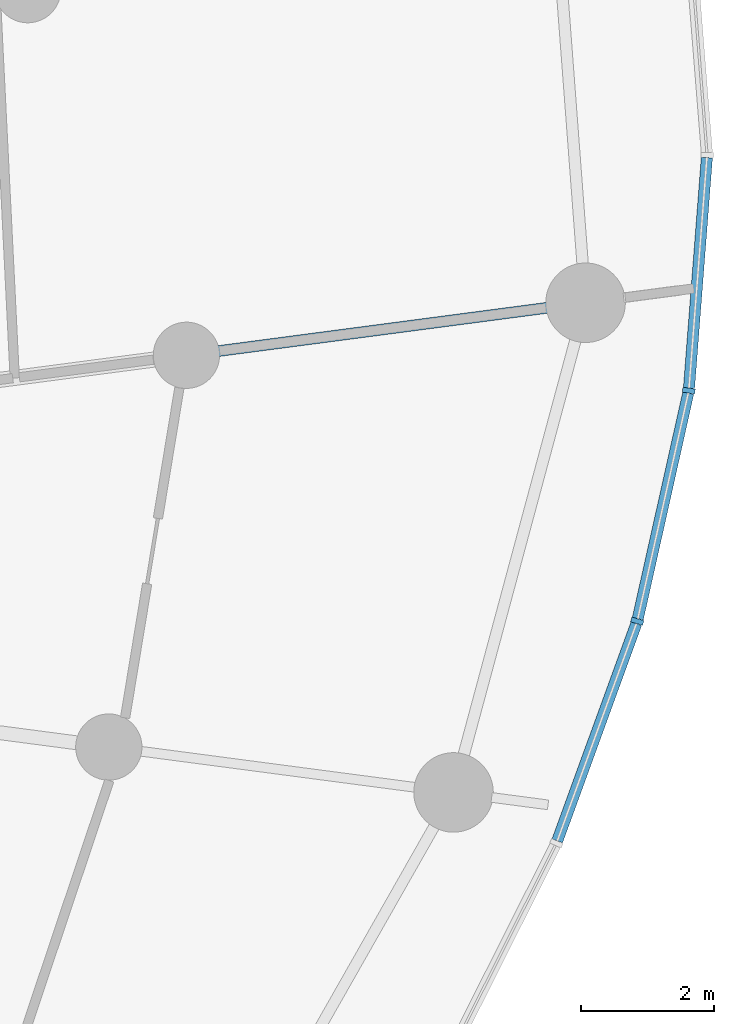
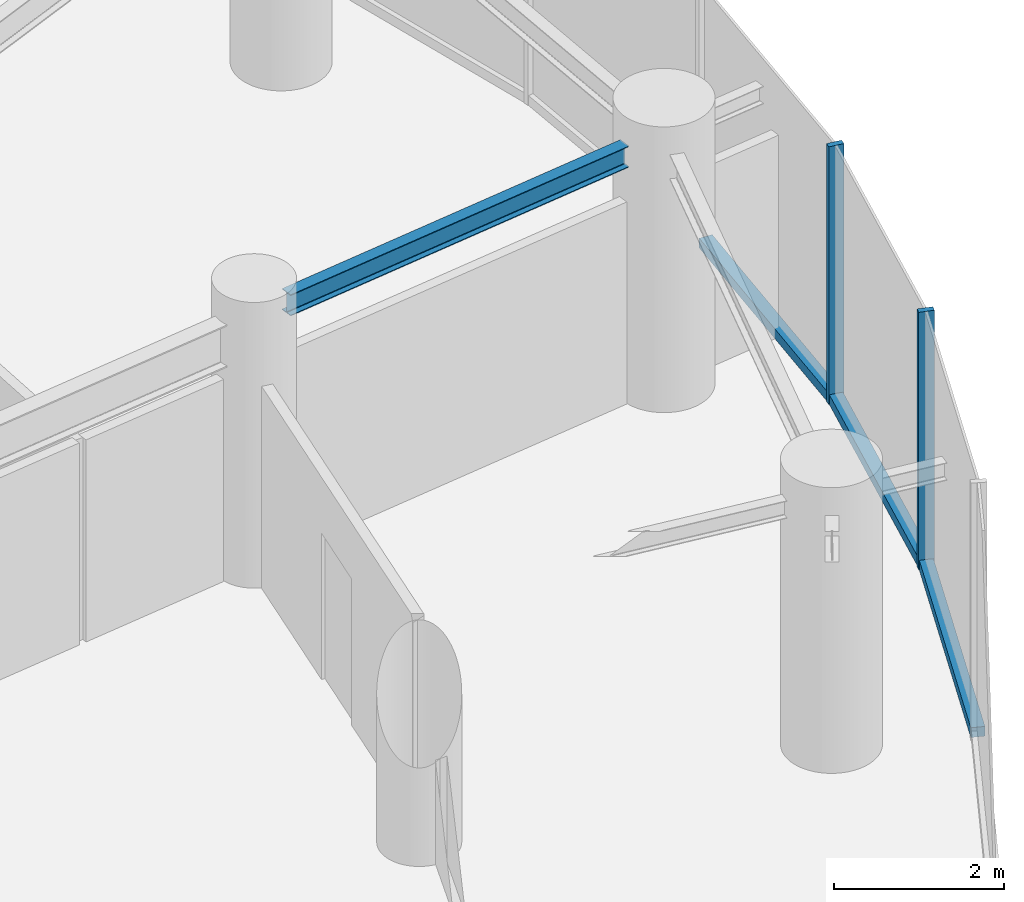
# One storey, part 5 of 17: 5 members, 1 beam, 1 element without a shape of its own.
"""IFC4 building model written with IfcOpenShell, lengths in metres."""

from ifc_helpers import new_model, si_unit, direction, frame, origin, origin_2d, place, context, subcontext, project, spatial, rectangle, i_section, extrude, source, transform, mapped, material, layer, layer_set, material_profile, profile_set, type_object, element, aggregate, save


model = new_model("IFC4")

# Units and contexts
model_context = context("Model", 3, precision=1e-05, world=origin(), true_north=direction((0.0, 1.0)))
body_context = subcontext(model_context, "Body", "Model", "MODEL_VIEW")
ifc_project = project(units=[si_unit("LENGTHUNIT", "METRE"), si_unit("AREAUNIT", "SQUARE_METRE"), si_unit("VOLUMEUNIT", "CUBIC_METRE"), si_unit("PLANEANGLEUNIT", "RADIAN"), si_unit("MASSUNIT", "GRAM", prefix="KILO")], contexts=[model_context])

# Site, building, storey
site_placement = place(None, origin())
site = spatial("IfcSite", under=ifc_project, at=site_placement, CompositionType="ELEMENT")
building_placement = place(site_placement, origin())
building = spatial("IfcBuilding", under=site, at=building_placement, Name="Spindrift Exchange Tower", CompositionType="ELEMENT")
storey_placement = place(building_placement, frame((0.0, 0.0, 120.800048828125)))
storey = spatial("IfcBuildingStorey", under=building, at=storey_placement, Name="L28", CompositionType="ELEMENT", Elevation=120.800048828125)

# Beam
ifc_material_1 = material(Name="Steel Grade 300", Category="steel")
ifc_material_profile_1 = material_profile(ifc_material_1, i_section(OverallWidth=0.1650390625, OverallDepth=0.303955078125, WebThickness=0.006103515625, FlangeThickness=0.01025390625, FilletRadius=0.011474609375, at=origin_2d()), Name="310UB40.4")
ifc_profile_set_1 = profile_set([ifc_material_profile_1], Name="Steel Grade 300")
beam_type = type_object("IfcBeamType", Name="Floor Beam 310UB40.4 Steel Grade 300", PredefinedType="BEAM", material=ifc_profile_set_1)
shared_shape_1 = source(origin(), body_context, "Body", "SweptSolid", [
    extrude(i_section(OverallWidth=0.1650390625, OverallDepth=0.303955078125, WebThickness=0.006103515625, FlangeThickness=0.01025390625, FilletRadius=0.011474609375, at=origin_2d()), origin(), (0.0, 0.0, 1.0), 5.014404296875),
])
beam_placement = place(storey_placement, frame((75.509765625, 51.09521484375, 3.5478515625), z_axis=(0.99145015202, 0.13048599948, 0.0), x_axis=(-0.13048599948, 0.99145015202, 0.0)))
element("IfcBeam", 1, at=beam_placement, inside=storey, type_object=beam_type, Name="L28 radial beam R01B", PredefinedType="BEAM", context=body_context, shape_type="MappedRepresentation", body=[
    mapped(shared_shape_1, transform((0.0, 0.0, 0.0), scale=1.0)),
])

# Curtain wall, members
ifc_material_2 = material(Name="Fritted laminated glass with bronze frame", Category="glass")
ifc_layer = layer(ifc_material_2, 0.18994140625)
ifc_layer_set = layer_set([ifc_layer], Name="ZONE 2 BRONZE FRITTED WALL")
curtain_wall_type = type_object("IfcCurtainWallType", Name="ZONE 2 BRONZE FRITTED WALL", PredefinedType="NOTDEFINED", material=ifc_layer_set)
curtain_wall_placement = place(storey_placement, origin())
curtain_wall = element("IfcCurtainWall", 2, at=curtain_wall_placement, inside=storey, type_object=curtain_wall_type, Name="L28 Zone 2 Bronze Fritted Wall run 8", PredefinedType="NOTDEFINED")
ifc_material_3 = material(Name="Bronze anodised aluminium", Category="aluminium")
ifc_material_profile_2 = material_profile(ifc_material_3, rectangle(XDim=0.074951171875, YDim=0.18994140625, at=origin_2d()), Name="ZONE 2 BRONZE FRITTED WALL MULLION 75X190")
ifc_profile_set_2 = profile_set([ifc_material_profile_2], Name="Bronze anodised aluminium")
member_type_1 = type_object("IfcMemberType", Name="ZONE 2 BRONZE FRITTED WALL MULLION 75X190", PredefinedType="MULLION", material=ifc_profile_set_2)
shared_shape_2 = source(origin(), body_context, "Body", "SweptSolid", [
    extrude(rectangle(XDim=0.074951171875, YDim=0.18994140625, at=origin_2d()), origin(), (0.0, 0.0, 1.0), 3.699951171875),
])
member_1_placement = place(storey_placement, frame((81.83642578125, 47.020263671875, 0.0), z_axis=(0.0, 0.0, 1.0), x_axis=(0.280738447325, 0.959784311287, 0.0)))
member_1 = element("IfcMember", 3, at=member_1_placement, type_object=member_type_1, Name="L28 mullion CW-2.47", PredefinedType="MULLION", context=body_context, shape_type="MappedRepresentation", body=[
    mapped(shared_shape_2, transform((0.0, 0.0, 0.0), scale=1.0)),
])
member_2_placement = place(storey_placement, frame((82.614501953125, 50.49951171875, 0.0), z_axis=(0.0, 0.0, 1.0), x_axis=(0.14816564871, 0.988962557705, 0.0)))
member_2 = element("IfcMember", 4, at=member_2_placement, type_object=member_type_1, Name="L28 mullion CW-2.48", PredefinedType="MULLION", context=body_context, shape_type="MappedRepresentation", body=[
    mapped(shared_shape_2, transform((0.0, 0.0, 0.0), scale=1.0)),
])
ifc_material_profile_3 = material_profile(ifc_material_3, rectangle(XDim=0.169921875, YDim=0.139892578125, at=origin_2d()), Name="ZONE 2 BRONZE FRITTED WALL TRANSOM 170X140")
ifc_profile_set_3 = profile_set([ifc_material_profile_3], Name="Bronze anodised aluminium")
member_type_2 = type_object("IfcMemberType", Name="ZONE 2 BRONZE FRITTED WALL TRANSOM 170X140", PredefinedType="USERDEFINED", material=ifc_profile_set_3)
shared_shape_3 = source(origin(), body_context, "Body", "SweptSolid", [
    extrude(rectangle(XDim=0.169921875, YDim=0.139892578125, at=origin_2d()), origin(), (0.0, 0.0, 1.0), 3.490478515625),
])
member_3_placement = place(storey_placement, frame((80.629638671875, 43.705078125, 0.070068359375), z_axis=(0.342023843011, 0.939691274202, 0.0), x_axis=(-0.939691274202, 0.342023843011, 0.0)))
member_3 = element("IfcMember", 5, at=member_3_placement, type_object=member_type_2, Name="L28 transom CW-2.46", ObjectType="TRANSOM", PredefinedType="USERDEFINED", context=body_context, shape_type="MappedRepresentation", body=[
    mapped(shared_shape_3, transform((0.0, 0.0, 0.0), scale=1.0)),
])
shared_shape_4 = source(origin(), body_context, "Body", "SweptSolid", [
    extrude(rectangle(XDim=0.169921875, YDim=0.139892578125, at=origin_2d()), origin(), (0.0, 0.0, 1.0), 3.490234375),
])
member_4_placement = place(storey_placement, frame((81.844482421875, 47.056884765625, 0.070068359375), z_axis=(0.218315257774, 0.975878295805, 0.0), x_axis=(-0.975878295805, 0.218315257774, 0.0)))
member_4 = element("IfcMember", 6, at=member_4_placement, type_object=member_type_2, Name="L28 transom CW-2.47", ObjectType="TRANSOM", PredefinedType="USERDEFINED", context=body_context, shape_type="MappedRepresentation", body=[
    mapped(shared_shape_4, transform((0.0, 0.0, 0.0), scale=1.0)),
])
shared_shape_5 = source(origin(), body_context, "Body", "SweptSolid", [
    extrude(rectangle(XDim=0.169921875, YDim=0.139892578125, at=origin_2d()), origin(), (0.0, 0.0, 1.0), 3.4892578125),
])
member_5_placement = place(storey_placement, frame((82.617431640625, 50.536865234375, 0.070068359375), z_axis=(0.077317161584, 0.997006547885, 0.0), x_axis=(-0.997006547885, 0.077317161584, 0.0)))
member_5 = element("IfcMember", 7, at=member_5_placement, type_object=member_type_2, Name="L28 transom CW-2.48", ObjectType="TRANSOM", PredefinedType="USERDEFINED", context=body_context, shape_type="MappedRepresentation", body=[
    mapped(shared_shape_5, transform((0.0, 0.0, 0.0), scale=1.0)),
])
aggregate(curtain_wall, [member_3, member_1, member_4, member_2, member_5])

save(model, "model.ifc")
